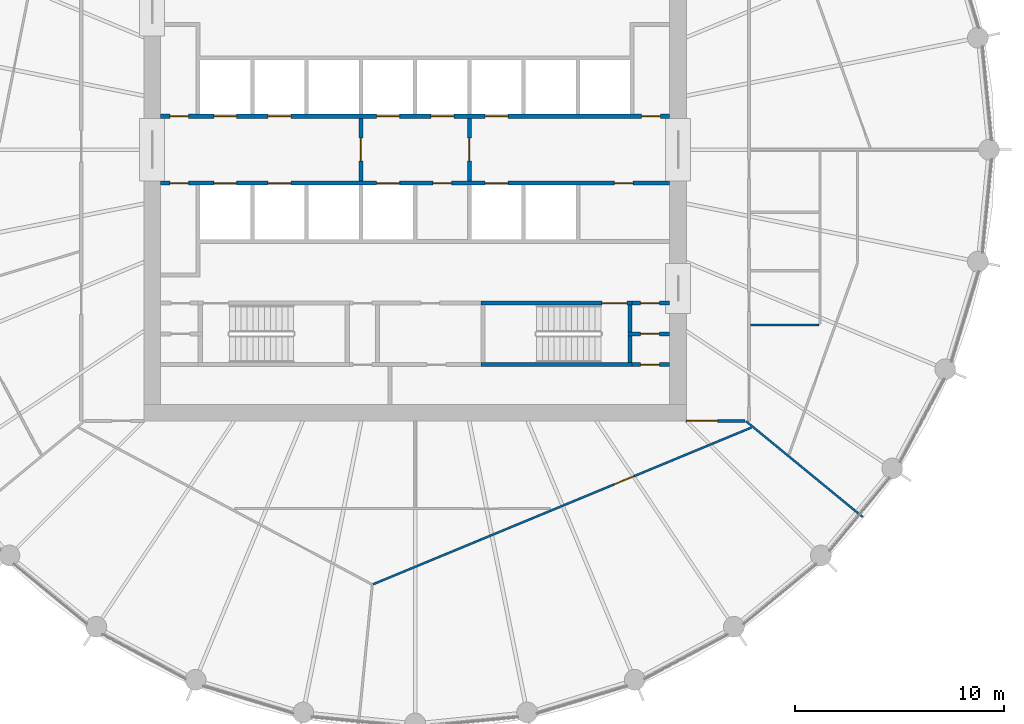
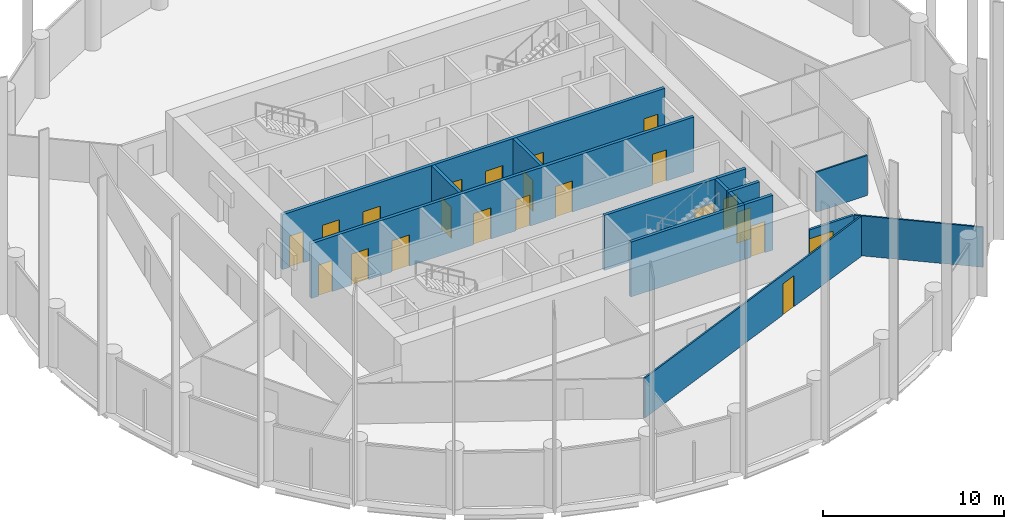
# One storey, part 5 of 8: 22 doors, 15 walls, 22 openings.
"""IFC4 building model written with IfcOpenShell, lengths in metres."""

from ifc_helpers import new_model, si_unit, direction, frame, frame_2d, origin, place, context, subcontext, project, spatial, polyline, rectangle, outline, extrude, material, layer, layer_set, type_object, element, fill, save


model = new_model("IFC4")

# Units and contexts
model_context = context("Model", 3, precision=1e-05, world=origin(), true_north=direction((0.0, 1.0)))
body_context = subcontext(model_context, "Body", "Model", "MODEL_VIEW")
ifc_project = project(units=[si_unit("LENGTHUNIT", "METRE"), si_unit("AREAUNIT", "SQUARE_METRE"), si_unit("VOLUMEUNIT", "CUBIC_METRE"), si_unit("PLANEANGLEUNIT", "RADIAN"), si_unit("MASSUNIT", "GRAM", prefix="KILO")], contexts=[model_context])

# Site, building, storey
site_placement = place(None, origin())
site = spatial("IfcSite", under=ifc_project, at=site_placement, CompositionType="ELEMENT")
building_placement = place(site_placement, origin())
building = spatial("IfcBuilding", under=site, at=building_placement, Name="Corvane Civic Tower", CompositionType="ELEMENT")
storey_placement = place(building_placement, frame((0.0, 0.0, 201.5)))
storey = spatial("IfcBuildingStorey", under=building, at=storey_placement, Name="L47", CompositionType="ELEMENT", Elevation=201.5)

# Wall, opening, door
ifc_material_1 = material(Name="Concrete C30/37", Category="concrete")
ifc_layer_1 = layer(ifc_material_1, 0.199951171875)
ifc_layer_set_1 = layer_set([ifc_layer_1], Name="Concrete C30/37")
wall_type_1 = type_object("IfcWallType", Name="CR-WALL-200", PredefinedType="PARTITIONING", material=ifc_layer_set_1)
wall_1_placement = place(storey_placement, frame((10.39990234375, -10.300048828125, 0.0), z_axis=(0.0, 0.0, 1.0), x_axis=(1.0, 0.0, 0.0)))
wall_1 = element("IfcWall", 1, at=wall_1_placement, inside=storey, type_object=wall_type_1, Name="L47 partition wall", PredefinedType="PARTITIONING", context=body_context, shape_type="SweptSolid", body=[
    extrude(rectangle(XDim=1.800048828125, YDim=0.199951171875, at=frame_2d((0.89990234375, 0.0))), origin(), (0.0, 0.0, 1.0), 3.699951171875),
])
opening_1_placement = place(wall_1_placement, frame((0.39990234375, 0.0, 0.0)))
opening_1 = element("IfcOpeningElement", 2, at=opening_1_placement, cuts=wall_1, Name="Opening L47.C23", PredefinedType="OPENING", context=body_context, shape_type="SweptSolid", body=[
    extrude(rectangle(XDim=0.89990234375, YDim=2.10009765625, at=frame_2d((0.449951171875, 1.050048828125))), frame((0.0, 0.10986328125, 0.0), z_axis=(0.0, -1.0, 0.0), x_axis=(1.0, 0.0, 0.0)), (0.0, 0.0, 1.0), 0.219970703125),
])
ifc_material_2 = material(Name="Steel fire door leaf", Category="steel")
door_type_1 = type_object("IfcDoorType", Name="CR-DOOR-900", OperationType="SINGLE_SWING_LEFT", PredefinedType="DOOR", material=ifc_material_2)
door_1_placement = place(opening_1_placement, origin())
door_1 = element("IfcDoor", 3, at=door_1_placement, inside=storey, type_object=door_type_1, Name="L47 door", OperationType="SINGLE_SWING_LEFT", OverallHeight=2.10009765625, OverallWidth=0.89990234375, PredefinedType="DOOR", context=body_context, shape_type="SweptSolid", body=[
    extrude(rectangle(XDim=0.89990234375, YDim=2.10009765625, at=frame_2d((0.449951171875, 1.050048828125))), frame((0.0, 0.02490234375, 0.0), z_axis=(0.0, -1.0, 0.0), x_axis=(1.0, 0.0, 0.0)), (0.0, 0.0, 1.0), 0.050048828125),
])
fill(opening_1, door_1)

wall_2_placement = place(storey_placement, frame((10.199951171875, -8.824951171875, 0.0), z_axis=(0.0, 0.0, 1.0), x_axis=(1.0, 0.0, 0.0)))
wall_2 = element("IfcWall", 4, at=wall_2_placement, inside=storey, type_object=wall_type_1, Name="L47 partition wall", PredefinedType="PARTITIONING", context=body_context, shape_type="SweptSolid", body=[
    extrude(rectangle(XDim=2.0, YDim=0.199951171875, at=frame_2d((1.0, 0.0))), origin(), (0.0, 0.0, 1.0), 3.699951171875),
])
opening_2_placement = place(wall_2_placement, frame((0.60009765625, 0.0, 0.0)))
opening_2 = element("IfcOpeningElement", 5, at=opening_2_placement, cuts=wall_2, Name="Opening L47.C22", PredefinedType="OPENING", context=body_context, shape_type="SweptSolid", body=[
    extrude(rectangle(XDim=0.89990234375, YDim=2.10009765625, at=frame_2d((0.449951171875, 1.050048828125))), frame((0.0, 0.10986328125, 0.0), z_axis=(0.0, -1.0, 0.0), x_axis=(1.0, 0.0, 0.0)), (0.0, 0.0, 1.0), 0.219970703125),
])
door_2_placement = place(opening_2_placement, origin())
door_2 = element("IfcDoor", 6, at=door_2_placement, inside=storey, type_object=door_type_1, Name="L47 door", OperationType="SINGLE_SWING_LEFT", OverallHeight=2.10009765625, OverallWidth=0.89990234375, PredefinedType="DOOR", context=body_context, shape_type="SweptSolid", body=[
    extrude(rectangle(XDim=0.89990234375, YDim=2.10009765625, at=frame_2d((0.449951171875, 1.050048828125))), frame((0.0, 0.02490234375, 0.0), z_axis=(0.0, -1.0, 0.0), x_axis=(1.0, 0.0, 0.0)), (0.0, 0.0, 1.0), 0.050048828125),
])
fill(opening_2, door_2)

wall_3_placement = place(storey_placement, frame((10.39990234375, -7.35009765625, 0.0), z_axis=(0.0, 0.0, 1.0), x_axis=(1.0, 0.0, 0.0)))
wall_3 = element("IfcWall", 7, at=wall_3_placement, inside=storey, type_object=wall_type_1, Name="L47 core partition wall", PredefinedType="PARTITIONING", context=body_context, shape_type="SweptSolid", body=[
    extrude(rectangle(XDim=1.800048828125, YDim=0.199951171875, at=frame_2d((0.89990234375, 0.0))), origin(), (0.0, 0.0, 1.0), 3.699951171875),
])
opening_3_placement = place(wall_3_placement, frame((0.39990234375, 0.0, 0.0)))
opening_3 = element("IfcOpeningElement", 8, at=opening_3_placement, cuts=wall_3, Name="Opening L47.C21", PredefinedType="OPENING", context=body_context, shape_type="SweptSolid", body=[
    extrude(rectangle(XDim=0.89990234375, YDim=2.10009765625, at=frame_2d((0.449951171875, 1.050048828125))), frame((0.0, 0.10986328125, 0.0), z_axis=(0.0, -1.0, 0.0), x_axis=(1.0, 0.0, 0.0)), (0.0, 0.0, 1.0), 0.219970703125),
])
door_3_placement = place(opening_3_placement, origin())
door_3 = element("IfcDoor", 9, at=door_3_placement, inside=storey, type_object=door_type_1, Name="L47 door", OperationType="SINGLE_SWING_LEFT", OverallHeight=2.10009765625, OverallWidth=0.89990234375, PredefinedType="DOOR", context=body_context, shape_type="SweptSolid", body=[
    extrude(rectangle(XDim=0.89990234375, YDim=2.10009765625, at=frame_2d((0.449951171875, 1.050048828125))), frame((0.0, 0.02490234375, 0.0), z_axis=(0.0, -1.0, 0.0), x_axis=(1.0, 0.0, 0.0)), (0.0, 0.0, 1.0), 0.050048828125),
])
fill(opening_3, door_3)

# Wall, openings, doors
wall_4_placement = place(storey_placement, frame((-12.199951171875, -1.60009765625, 0.0), z_axis=(0.0, 0.0, 1.0), x_axis=(1.0, 0.0, 0.0)))
wall_4 = element("IfcWall", 10, at=wall_4_placement, inside=storey, type_object=wall_type_1, Name="L47 lift shaft wall", PredefinedType="PARTITIONING", context=body_context, shape_type="SweptSolid", body=[
    extrude(rectangle(XDim=24.39990234375, YDim=0.199951171875, at=frame_2d((12.199951171875, 0.0))), origin(), (0.0, 0.0, 1.0), 3.699951171875),
])
opening_4_placement = place(wall_4_placement, frame((2.550048828125, 0.0, 0.0)))
opening_4 = element("IfcOpeningElement", 11, at=opening_4_placement, cuts=wall_4, Name="Opening LD", PredefinedType="OPENING", context=body_context, shape_type="SweptSolid", body=[
    extrude(rectangle(XDim=1.10009765625, YDim=2.10009765625, at=frame_2d((0.550048828125, 1.050048828125))), frame((0.0, 0.10986328125, 0.0), z_axis=(0.0, -1.0, 0.0), x_axis=(1.0, 0.0, 0.0)), (0.0, 0.0, 1.0), 0.219970703125),
])
opening_5_placement = place(wall_4_placement, frame((5.14990234375, 0.0, 0.0)))
opening_5 = element("IfcOpeningElement", 12, at=opening_5_placement, cuts=wall_4, Name="Opening LD", PredefinedType="OPENING", context=body_context, shape_type="SweptSolid", body=[
    extrude(rectangle(XDim=1.10009765625, YDim=2.10009765625, at=frame_2d((0.550048828125, 1.050048828125))), frame((0.0, 0.10986328125, 0.0), z_axis=(0.0, -1.0, 0.0), x_axis=(1.0, 0.0, 0.0)), (0.0, 0.0, 1.0), 0.219970703125),
])
opening_6_placement = place(wall_4_placement, frame((10.35009765625, 0.0, 0.0)))
opening_6 = element("IfcOpeningElement", 13, at=opening_6_placement, cuts=wall_4, Name="Opening LD", PredefinedType="OPENING", context=body_context, shape_type="SweptSolid", body=[
    extrude(rectangle(XDim=1.10009765625, YDim=2.10009765625, at=frame_2d((0.550048828125, 1.050048828125))), frame((0.0, 0.10986328125, 0.0), z_axis=(0.0, -1.0, 0.0), x_axis=(1.0, 0.0, 0.0)), (0.0, 0.0, 1.0), 0.219970703125),
])
opening_7_placement = place(wall_4_placement, frame((13.050048828125, 0.0, 0.0)))
opening_7 = element("IfcOpeningElement", 14, at=opening_7_placement, cuts=wall_4, Name="Opening L47.C03", PredefinedType="OPENING", context=body_context, shape_type="SweptSolid", body=[
    extrude(rectangle(XDim=0.89990234375, YDim=2.10009765625, at=frame_2d((0.449951171875, 1.050048828125))), frame((0.0, 0.10986328125, 0.0), z_axis=(0.0, -1.0, 0.0), x_axis=(1.0, 0.0, 0.0)), (0.0, 0.0, 1.0), 0.219970703125),
])
opening_8_placement = place(wall_4_placement, frame((15.550048828125, 0.0, 0.0)))
opening_8 = element("IfcOpeningElement", 15, at=opening_8_placement, cuts=wall_4, Name="Opening LD", PredefinedType="OPENING", context=body_context, shape_type="SweptSolid", body=[
    extrude(rectangle(XDim=1.10009765625, YDim=2.10009765625, at=frame_2d((0.550048828125, 1.050048828125))), frame((0.0, 0.10986328125, 0.0), z_axis=(0.0, -1.0, 0.0), x_axis=(1.0, 0.0, 0.0)), (0.0, 0.0, 1.0), 0.219970703125),
])
opening_9_placement = place(wall_4_placement, frame((0.449951171875, 0.0, 0.0)))
opening_9 = element("IfcOpeningElement", 16, at=opening_9_placement, cuts=wall_4, Name="Opening L47.C04", PredefinedType="OPENING", context=body_context, shape_type="SweptSolid", body=[
    extrude(rectangle(XDim=0.89990234375, YDim=2.10009765625, at=frame_2d((0.449951171875, 1.050048828125))), frame((0.0, 0.10986328125, 0.0), z_axis=(0.0, -1.0, 0.0), x_axis=(1.0, 0.0, 0.0)), (0.0, 0.0, 1.0), 0.219970703125),
])
opening_10_placement = place(wall_4_placement, frame((21.75, 0.0, 0.0)))
opening_10 = element("IfcOpeningElement", 17, at=opening_10_placement, cuts=wall_4, Name="Opening L47.C05", PredefinedType="OPENING", context=body_context, shape_type="SweptSolid", body=[
    extrude(rectangle(XDim=0.89990234375, YDim=2.10009765625, at=frame_2d((0.449951171875, 1.050048828125))), frame((0.0, 0.10986328125, 0.0), z_axis=(0.0, -1.0, 0.0), x_axis=(1.0, 0.0, 0.0)), (0.0, 0.0, 1.0), 0.219970703125),
])
door_4_placement = place(opening_7_placement, origin())
door_4 = element("IfcDoor", 18, at=door_4_placement, inside=storey, type_object=door_type_1, Name="L47 door", OperationType="SINGLE_SWING_LEFT", OverallHeight=2.10009765625, OverallWidth=0.89990234375, PredefinedType="DOOR", context=body_context, shape_type="SweptSolid", body=[
    extrude(rectangle(XDim=0.89990234375, YDim=2.10009765625, at=frame_2d((0.449951171875, 1.050048828125))), frame((0.0, 0.02490234375, 0.0), z_axis=(0.0, -1.0, 0.0), x_axis=(1.0, 0.0, 0.0)), (0.0, 0.0, 1.0), 0.050048828125),
])
fill(opening_7, door_4)
door_5_placement = place(opening_9_placement, origin())
door_5 = element("IfcDoor", 19, at=door_5_placement, inside=storey, type_object=door_type_1, Name="L47 door", OperationType="SINGLE_SWING_LEFT", OverallHeight=2.10009765625, OverallWidth=0.89990234375, PredefinedType="DOOR", context=body_context, shape_type="SweptSolid", body=[
    extrude(rectangle(XDim=0.89990234375, YDim=2.10009765625, at=frame_2d((0.449951171875, 1.050048828125))), frame((0.0, 0.02490234375, 0.0), z_axis=(0.0, -1.0, 0.0), x_axis=(1.0, 0.0, 0.0)), (0.0, 0.0, 1.0), 0.050048828125),
])
fill(opening_9, door_5)
door_6_placement = place(opening_10_placement, origin())
door_6 = element("IfcDoor", 20, at=door_6_placement, inside=storey, type_object=door_type_1, Name="L47 door", OperationType="SINGLE_SWING_LEFT", OverallHeight=2.10009765625, OverallWidth=0.89990234375, PredefinedType="DOOR", context=body_context, shape_type="SweptSolid", body=[
    extrude(rectangle(XDim=0.89990234375, YDim=2.10009765625, at=frame_2d((0.449951171875, 1.050048828125))), frame((0.0, 0.02490234375, 0.0), z_axis=(0.0, -1.0, 0.0), x_axis=(1.0, 0.0, 0.0)), (0.0, 0.0, 1.0), 0.050048828125),
])
fill(opening_10, door_6)
ifc_material_3 = material(Name="Stainless steel 316 door leaves", Category="steel")
door_type_2 = type_object("IfcDoorType", Name="LD", OperationType="DOUBLE_DOOR_SLIDING", PredefinedType="DOOR", material=ifc_material_3)
door_7_placement = place(opening_4_placement, origin())
door_7 = element("IfcDoor", 21, at=door_7_placement, inside=storey, type_object=door_type_2, Name="L47 landing door", OperationType="DOUBLE_DOOR_SLIDING", OverallHeight=2.10009765625, OverallWidth=1.10009765625, PredefinedType="DOOR", context=body_context, shape_type="SweptSolid", body=[
    extrude(rectangle(XDim=1.10009765625, YDim=2.10009765625, at=frame_2d((0.550048828125, 1.050048828125))), frame((0.0, 0.02490234375, 0.0), z_axis=(0.0, -1.0, 0.0), x_axis=(1.0, 0.0, 0.0)), (0.0, 0.0, 1.0), 0.050048828125),
])
fill(opening_4, door_7)
door_8_placement = place(opening_5_placement, origin())
door_8 = element("IfcDoor", 22, at=door_8_placement, inside=storey, type_object=door_type_2, Name="L47 landing door", OperationType="DOUBLE_DOOR_SLIDING", OverallHeight=2.10009765625, OverallWidth=1.10009765625, PredefinedType="DOOR", context=body_context, shape_type="SweptSolid", body=[
    extrude(rectangle(XDim=1.10009765625, YDim=2.10009765625, at=frame_2d((0.550048828125, 1.050048828125))), frame((0.0, 0.02490234375, 0.0), z_axis=(0.0, -1.0, 0.0), x_axis=(1.0, 0.0, 0.0)), (0.0, 0.0, 1.0), 0.050048828125),
])
fill(opening_5, door_8)
door_9_placement = place(opening_6_placement, origin())
door_9 = element("IfcDoor", 23, at=door_9_placement, inside=storey, type_object=door_type_2, Name="L47 landing door", OperationType="DOUBLE_DOOR_SLIDING", OverallHeight=2.10009765625, OverallWidth=1.10009765625, PredefinedType="DOOR", context=body_context, shape_type="SweptSolid", body=[
    extrude(rectangle(XDim=1.10009765625, YDim=2.10009765625, at=frame_2d((0.550048828125, 1.050048828125))), frame((0.0, 0.02490234375, 0.0), z_axis=(0.0, -1.0, 0.0), x_axis=(1.0, 0.0, 0.0)), (0.0, 0.0, 1.0), 0.050048828125),
])
fill(opening_6, door_9)
door_10_placement = place(opening_8_placement, origin())
door_10 = element("IfcDoor", 24, at=door_10_placement, inside=storey, type_object=door_type_2, Name="L47 landing door", OperationType="DOUBLE_DOOR_SLIDING", OverallHeight=2.10009765625, OverallWidth=1.10009765625, PredefinedType="DOOR", context=body_context, shape_type="SweptSolid", body=[
    extrude(rectangle(XDim=1.10009765625, YDim=2.10009765625, at=frame_2d((0.550048828125, 1.050048828125))), frame((0.0, 0.02490234375, 0.0), z_axis=(0.0, -1.0, 0.0), x_axis=(1.0, 0.0, 0.0)), (0.0, 0.0, 1.0), 0.050048828125),
])
fill(opening_8, door_10)

wall_5_placement = place(storey_placement, frame((-12.199951171875, 1.60009765625, 0.0), z_axis=(0.0, 0.0, 1.0), x_axis=(1.0, 0.0, 0.0)))
wall_5 = element("IfcWall", 25, at=wall_5_placement, inside=storey, type_object=wall_type_1, Name="L47 lift shaft wall", PredefinedType="PARTITIONING", context=body_context, shape_type="SweptSolid", body=[
    extrude(rectangle(XDim=24.39990234375, YDim=0.199951171875, at=frame_2d((12.199951171875, 0.0))), origin(), (0.0, 0.0, 1.0), 3.699951171875),
])
opening_11_placement = place(wall_5_placement, frame((2.550048828125, 0.0, 0.0)))
opening_11 = element("IfcOpeningElement", 26, at=opening_11_placement, cuts=wall_5, Name="Opening LD", PredefinedType="OPENING", context=body_context, shape_type="SweptSolid", body=[
    extrude(rectangle(XDim=1.10009765625, YDim=2.10009765625, at=frame_2d((0.550048828125, 1.050048828125))), frame((0.0, 0.10986328125, 0.0), z_axis=(0.0, -1.0, 0.0), x_axis=(1.0, 0.0, 0.0)), (0.0, 0.0, 1.0), 0.219970703125),
])
opening_12_placement = place(wall_5_placement, frame((5.14990234375, 0.0, 0.0)))
opening_12 = element("IfcOpeningElement", 27, at=opening_12_placement, cuts=wall_5, Name="Opening LD", PredefinedType="OPENING", context=body_context, shape_type="SweptSolid", body=[
    extrude(rectangle(XDim=1.10009765625, YDim=2.10009765625, at=frame_2d((0.550048828125, 1.050048828125))), frame((0.0, 0.10986328125, 0.0), z_axis=(0.0, -1.0, 0.0), x_axis=(1.0, 0.0, 0.0)), (0.0, 0.0, 1.0), 0.219970703125),
])
opening_13_placement = place(wall_5_placement, frame((10.35009765625, 0.0, 0.0)))
opening_13 = element("IfcOpeningElement", 28, at=opening_13_placement, cuts=wall_5, Name="Opening LD", PredefinedType="OPENING", context=body_context, shape_type="SweptSolid", body=[
    extrude(rectangle(XDim=1.10009765625, YDim=2.10009765625, at=frame_2d((0.550048828125, 1.050048828125))), frame((0.0, 0.10986328125, 0.0), z_axis=(0.0, -1.0, 0.0), x_axis=(1.0, 0.0, 0.0)), (0.0, 0.0, 1.0), 0.219970703125),
])
opening_14_placement = place(wall_5_placement, frame((12.949951171875, 0.0, 0.0)))
opening_14 = element("IfcOpeningElement", 29, at=opening_14_placement, cuts=wall_5, Name="Opening LD", PredefinedType="OPENING", context=body_context, shape_type="SweptSolid", body=[
    extrude(rectangle(XDim=1.10009765625, YDim=2.10009765625, at=frame_2d((0.550048828125, 1.050048828125))), frame((0.0, 0.10986328125, 0.0), z_axis=(0.0, -1.0, 0.0), x_axis=(1.0, 0.0, 0.0)), (0.0, 0.0, 1.0), 0.219970703125),
])
opening_15_placement = place(wall_5_placement, frame((15.550048828125, 0.0, 0.0)))
opening_15 = element("IfcOpeningElement", 30, at=opening_15_placement, cuts=wall_5, Name="Opening LD", PredefinedType="OPENING", context=body_context, shape_type="SweptSolid", body=[
    extrude(rectangle(XDim=1.10009765625, YDim=2.10009765625, at=frame_2d((0.550048828125, 1.050048828125))), frame((0.0, 0.10986328125, 0.0), z_axis=(0.0, -1.0, 0.0), x_axis=(1.0, 0.0, 0.0)), (0.0, 0.0, 1.0), 0.219970703125),
])
opening_16_placement = place(wall_5_placement, frame((0.449951171875, 0.0, 0.0)))
opening_16 = element("IfcOpeningElement", 31, at=opening_16_placement, cuts=wall_5, Name="Opening L47.C01", PredefinedType="OPENING", context=body_context, shape_type="SweptSolid", body=[
    extrude(rectangle(XDim=0.89990234375, YDim=2.10009765625, at=frame_2d((0.449951171875, 1.050048828125))), frame((0.0, 0.10986328125, 0.0), z_axis=(0.0, -1.0, 0.0), x_axis=(1.0, 0.0, 0.0)), (0.0, 0.0, 1.0), 0.219970703125),
])
opening_17_placement = place(wall_5_placement, frame((23.050048828125, 0.0, 0.0)))
opening_17 = element("IfcOpeningElement", 32, at=opening_17_placement, cuts=wall_5, Name="Opening L47.C02", PredefinedType="OPENING", context=body_context, shape_type="SweptSolid", body=[
    extrude(rectangle(XDim=0.89990234375, YDim=2.10009765625, at=frame_2d((0.449951171875, 1.050048828125))), frame((0.0, 0.10986328125, 0.0), z_axis=(0.0, -1.0, 0.0), x_axis=(1.0, 0.0, 0.0)), (0.0, 0.0, 1.0), 0.219970703125),
])
door_11_placement = place(opening_16_placement, origin())
door_11 = element("IfcDoor", 33, at=door_11_placement, inside=storey, type_object=door_type_1, Name="L47 door", OperationType="SINGLE_SWING_LEFT", OverallHeight=2.10009765625, OverallWidth=0.89990234375, PredefinedType="DOOR", context=body_context, shape_type="SweptSolid", body=[
    extrude(rectangle(XDim=0.89990234375, YDim=2.10009765625, at=frame_2d((0.449951171875, 1.050048828125))), frame((0.0, 0.02490234375, 0.0), z_axis=(0.0, -1.0, 0.0), x_axis=(1.0, 0.0, 0.0)), (0.0, 0.0, 1.0), 0.050048828125),
])
fill(opening_16, door_11)
door_12_placement = place(opening_17_placement, origin())
door_12 = element("IfcDoor", 34, at=door_12_placement, inside=storey, type_object=door_type_1, Name="L47 door", OperationType="SINGLE_SWING_LEFT", OverallHeight=2.10009765625, OverallWidth=0.89990234375, PredefinedType="DOOR", context=body_context, shape_type="SweptSolid", body=[
    extrude(rectangle(XDim=0.89990234375, YDim=2.10009765625, at=frame_2d((0.449951171875, 1.050048828125))), frame((0.0, 0.02490234375, 0.0), z_axis=(0.0, -1.0, 0.0), x_axis=(1.0, 0.0, 0.0)), (0.0, 0.0, 1.0), 0.050048828125),
])
fill(opening_17, door_12)
door_13_placement = place(opening_11_placement, origin())
door_13 = element("IfcDoor", 35, at=door_13_placement, inside=storey, type_object=door_type_2, Name="L47 landing door", OperationType="DOUBLE_DOOR_SLIDING", OverallHeight=2.10009765625, OverallWidth=1.10009765625, PredefinedType="DOOR", context=body_context, shape_type="SweptSolid", body=[
    extrude(rectangle(XDim=1.10009765625, YDim=2.10009765625, at=frame_2d((0.550048828125, 1.050048828125))), frame((0.0, 0.02490234375, 0.0), z_axis=(0.0, -1.0, 0.0), x_axis=(1.0, 0.0, 0.0)), (0.0, 0.0, 1.0), 0.050048828125),
])
fill(opening_11, door_13)
door_14_placement = place(opening_12_placement, origin())
door_14 = element("IfcDoor", 36, at=door_14_placement, inside=storey, type_object=door_type_2, Name="L47 landing door", OperationType="DOUBLE_DOOR_SLIDING", OverallHeight=2.10009765625, OverallWidth=1.10009765625, PredefinedType="DOOR", context=body_context, shape_type="SweptSolid", body=[
    extrude(rectangle(XDim=1.10009765625, YDim=2.10009765625, at=frame_2d((0.550048828125, 1.050048828125))), frame((0.0, 0.02490234375, 0.0), z_axis=(0.0, -1.0, 0.0), x_axis=(1.0, 0.0, 0.0)), (0.0, 0.0, 1.0), 0.050048828125),
])
fill(opening_12, door_14)
door_15_placement = place(opening_13_placement, origin())
door_15 = element("IfcDoor", 37, at=door_15_placement, inside=storey, type_object=door_type_2, Name="L47 landing door", OperationType="DOUBLE_DOOR_SLIDING", OverallHeight=2.10009765625, OverallWidth=1.10009765625, PredefinedType="DOOR", context=body_context, shape_type="SweptSolid", body=[
    extrude(rectangle(XDim=1.10009765625, YDim=2.10009765625, at=frame_2d((0.550048828125, 1.050048828125))), frame((0.0, 0.02490234375, 0.0), z_axis=(0.0, -1.0, 0.0), x_axis=(1.0, 0.0, 0.0)), (0.0, 0.0, 1.0), 0.050048828125),
])
fill(opening_13, door_15)
door_16_placement = place(opening_14_placement, origin())
door_16 = element("IfcDoor", 38, at=door_16_placement, inside=storey, type_object=door_type_2, Name="L47 landing door", OperationType="DOUBLE_DOOR_SLIDING", OverallHeight=2.10009765625, OverallWidth=1.10009765625, PredefinedType="DOOR", context=body_context, shape_type="SweptSolid", body=[
    extrude(rectangle(XDim=1.10009765625, YDim=2.10009765625, at=frame_2d((0.550048828125, 1.050048828125))), frame((0.0, 0.02490234375, 0.0), z_axis=(0.0, -1.0, 0.0), x_axis=(1.0, 0.0, 0.0)), (0.0, 0.0, 1.0), 0.050048828125),
])
fill(opening_14, door_16)
door_17_placement = place(opening_15_placement, origin())
door_17 = element("IfcDoor", 39, at=door_17_placement, inside=storey, type_object=door_type_2, Name="L47 landing door", OperationType="DOUBLE_DOOR_SLIDING", OverallHeight=2.10009765625, OverallWidth=1.10009765625, PredefinedType="DOOR", context=body_context, shape_type="SweptSolid", body=[
    extrude(rectangle(XDim=1.10009765625, YDim=2.10009765625, at=frame_2d((0.550048828125, 1.050048828125))), frame((0.0, 0.02490234375, 0.0), z_axis=(0.0, -1.0, 0.0), x_axis=(1.0, 0.0, 0.0)), (0.0, 0.0, 1.0), 0.050048828125),
])
fill(opening_15, door_17)

# Wall, opening, door
wall_6_placement = place(storey_placement, frame((-2.60009765625, -1.5, 0.0), z_axis=(0.0, 0.0, 1.0), x_axis=(0.0, 1.0, 0.0)))
wall_6 = element("IfcWall", 40, at=wall_6_placement, inside=storey, type_object=wall_type_1, Name="L47 firefighting lobby wall", PredefinedType="PARTITIONING", context=body_context, shape_type="SweptSolid", body=[
    extrude(rectangle(XDim=3.0, YDim=0.199951171875, at=frame_2d((1.5, 0.0))), origin(), (0.0, 0.0, 1.0), 3.699951171875),
])
opening_18_placement = place(wall_6_placement, frame((0.949951171875, 0.0, 0.0)))
opening_18 = element("IfcOpeningElement", 41, at=opening_18_placement, cuts=wall_6, Name="Opening L47.C28", PredefinedType="OPENING", context=body_context, shape_type="SweptSolid", body=[
    extrude(rectangle(XDim=1.10009765625, YDim=2.10009765625, at=frame_2d((0.550048828125, 1.050048828125))), frame((0.0, 0.10986328125, 0.0), z_axis=(0.0, -1.0, 0.0), x_axis=(1.0, 0.0, 0.0)), (0.0, 0.0, 1.0), 0.219970703125),
])
ifc_material_4 = material(Name="Steel fire door leaf", Category="steel")
door_type_3 = type_object("IfcDoorType", Name="CR-DOOR-FFL-1100", OperationType="SINGLE_SWING_LEFT", PredefinedType="DOOR", material=ifc_material_4)
door_18_placement = place(opening_18_placement, origin())
door_18 = element("IfcDoor", 42, at=door_18_placement, inside=storey, type_object=door_type_3, Name="L47 lobby door", OperationType="SINGLE_SWING_LEFT", OverallHeight=2.10009765625, OverallWidth=1.10009765625, PredefinedType="DOOR", context=body_context, shape_type="SweptSolid", body=[
    extrude(rectangle(XDim=1.10009765625, YDim=2.10009765625, at=frame_2d((0.550048828125, 1.050048828125))), frame((0.0, 0.02490234375, 0.0), z_axis=(0.0, -1.0, 0.0), x_axis=(1.0, 0.0, 0.0)), (0.0, 0.0, 1.0), 0.050048828125),
])
fill(opening_18, door_18)

wall_7_placement = place(storey_placement, frame((2.60009765625, -1.5, 0.0), z_axis=(0.0, 0.0, 1.0), x_axis=(0.0, 1.0, 0.0)))
wall_7 = element("IfcWall", 43, at=wall_7_placement, inside=storey, type_object=wall_type_1, Name="L47 firefighting lobby wall", PredefinedType="PARTITIONING", context=body_context, shape_type="SweptSolid", body=[
    extrude(rectangle(XDim=3.0, YDim=0.199951171875, at=frame_2d((1.5, 0.0))), origin(), (0.0, 0.0, 1.0), 3.699951171875),
])
opening_19_placement = place(wall_7_placement, frame((0.949951171875, 0.0, 0.0)))
opening_19 = element("IfcOpeningElement", 44, at=opening_19_placement, cuts=wall_7, Name="Opening L47.C29", PredefinedType="OPENING", context=body_context, shape_type="SweptSolid", body=[
    extrude(rectangle(XDim=1.10009765625, YDim=2.10009765625, at=frame_2d((0.550048828125, 1.050048828125))), frame((0.0, 0.10986328125, 0.0), z_axis=(0.0, -1.0, 0.0), x_axis=(1.0, 0.0, 0.0)), (0.0, 0.0, 1.0), 0.219970703125),
])
door_19_placement = place(opening_19_placement, origin())
door_19 = element("IfcDoor", 45, at=door_19_placement, inside=storey, type_object=door_type_3, Name="L47 lobby door", OperationType="SINGLE_SWING_LEFT", OverallHeight=2.10009765625, OverallWidth=1.10009765625, PredefinedType="DOOR", context=body_context, shape_type="SweptSolid", body=[
    extrude(rectangle(XDim=1.10009765625, YDim=2.10009765625, at=frame_2d((0.550048828125, 1.050048828125))), frame((0.0, 0.02490234375, 0.0), z_axis=(0.0, -1.0, 0.0), x_axis=(1.0, 0.0, 0.0)), (0.0, 0.0, 1.0), 0.050048828125),
])
fill(opening_19, door_19)

ifc_material_5 = material(Name="Plasterboard")
ifc_layer_2 = layer(ifc_material_5, 0.10009765625)
ifc_layer_set_2 = layer_set([ifc_layer_2], Name="Plasterboard")
wall_type_2 = type_object("IfcWallType", Name="Partition 100 plasterboard on studs", PredefinedType="PARTITIONING", material=ifc_layer_set_2)
wall_8_placement = place(storey_placement, frame((-2.02490234375, -20.82958984375, 0.0), z_axis=(0.0, 0.0, 1.0), x_axis=(0.923880713977, 0.382680580043, 0.0)))
wall_8 = element("IfcWall", 46, at=wall_8_placement, inside=storey, type_object=wall_type_2, Name="Partition L47.003", PredefinedType="PARTITIONING", context=body_context, shape_type="SweptSolid", body=[
    extrude(rectangle(XDim=19.63037109375, YDim=0.10009765625, at=frame_2d((9.815185546875, 0.0))), origin(), (0.0, 0.0, 1.0), 2.699951171875),
])
opening_20_placement = place(wall_8_placement, frame((12.520263671875, 0.0, 0.0)))
opening_20 = element("IfcOpeningElement", 47, at=opening_20_placement, cuts=wall_8, Name="Opening L47.002", PredefinedType="OPENING", context=body_context, shape_type="SweptSolid", body=[
    extrude(rectangle(XDim=1.0, YDim=2.10009765625, at=frame_2d((0.5, 1.050048828125))), frame((0.0, 0.06005859375, 0.0), z_axis=(0.0, -1.0, 0.0), x_axis=(1.0, 0.0, 0.0)), (0.0, 0.0, 1.0), 0.1201171875),
])
ifc_material_6 = material(Name="Timber", Category="wood")
door_type_4 = type_object("IfcDoorType", Name="Single door 1000", OperationType="NOTDEFINED", PredefinedType="DOOR", material=ifc_material_6)
door_20_placement = place(opening_20_placement, frame((1.0, 0.0, 0.0), z_axis=(0.0, 0.0, 1.0), x_axis=(-1.0, 0.0, 0.0)))
door_20 = element("IfcDoor", 48, at=door_20_placement, inside=storey, type_object=door_type_4, Name="Door L47.002", OperationType="SINGLE_SWING_LEFT", OverallHeight=2.10009765625, OverallWidth=1.0, PredefinedType="DOOR", context=body_context, shape_type="SweptSolid", body=[
    extrude(rectangle(XDim=1.0, YDim=2.10009765625, at=frame_2d((0.5, 1.050048828125))), frame((0.0, 0.02490234375, 0.0), z_axis=(0.0, -1.0, 0.0), x_axis=(1.0, 0.0, 0.0)), (0.0, 0.0, 1.0), 0.050048828125),
])
fill(opening_20, door_20)

# Walls
wall_9_placement = place(storey_placement, frame((15.8544921875, -13.01123046875, 0.0), z_axis=(0.0, 0.0, 1.0), x_axis=(0.772997895748, -0.634408585352, 0.0)))
element("IfcWall", 49, at=wall_9_placement, inside=storey, type_object=wall_type_2, Name="Partition L47.005", PredefinedType="PARTITIONING", context=body_context, shape_type="SweptSolid", body=[
    extrude(rectangle(XDim=7.240234375, YDim=0.10009765625, at=frame_2d((3.6201171875, 0.0))), origin(), (0.0, 0.0, 1.0), 2.699951171875),
])
wall_10_placement = place(storey_placement, frame((16.074951171875, -8.39990234375, 0.0), z_axis=(0.0, 0.0, 1.0), x_axis=(1.0, 0.0, 0.0)))
element("IfcWall", 50, at=wall_10_placement, inside=storey, type_object=wall_type_2, Name="Partition L47.014", PredefinedType="PARTITIONING", context=body_context, shape_type="SweptSolid", body=[
    extrude(rectangle(XDim=3.275146484375, YDim=0.10009765625, at=frame_2d((1.6376953125, 0.0))), origin(), (0.0, 0.0, 1.0), 2.699951171875),
])

# Wall, opening, door
ifc_material_7 = material(Name="Concrete C50/60", Category="concrete")
ifc_layer_3 = layer(ifc_material_7, 0.199951171875)
ifc_layer_set_3 = layer_set([ifc_layer_3], Name="Concrete C50/60")
wall_type_3 = type_object("IfcWallType", Name="ST-WALL-200", PredefinedType="SHEAR", material=ifc_layer_set_3)
wall_11_placement = place(storey_placement, frame((3.14990234375, -7.35009765625, 0.0), z_axis=(0.0, 0.0, 1.0), x_axis=(1.0, 0.0, 0.0)))
wall_11 = element("IfcWall", 51, at=wall_11_placement, inside=storey, type_object=wall_type_3, Name="L47 stair enclosure wall", PredefinedType="SHEAR", context=body_context, shape_type="SweptSolid", body=[
    extrude(rectangle(XDim=7.25, YDim=0.199951171875, at=frame_2d((3.625, 0.0))), origin(), (0.0, 0.0, 1.0), 3.699951171875),
])
opening_21_placement = place(wall_11_placement, frame((5.800048828125, 0.0, 0.0)))
opening_21 = element("IfcOpeningElement", 52, at=opening_21_placement, cuts=wall_11, Name="Opening L47.C26", PredefinedType="OPENING", context=body_context, shape_type="SweptSolid", body=[
    extrude(rectangle(XDim=1.199951171875, YDim=2.10009765625, at=frame_2d((0.60009765625, 1.050048828125))), frame((0.0, 0.10986328125, 0.0), z_axis=(0.0, -1.0, 0.0), x_axis=(1.0, 0.0, 0.0)), (0.0, 0.0, 1.0), 0.219970703125),
])
ifc_material_8 = material(Name="Steel fire door leaf", Category="steel")
door_type_5 = type_object("IfcDoorType", Name="ST-DOOR-1200", OperationType="SINGLE_SWING_RIGHT", PredefinedType="DOOR", material=ifc_material_8)
door_21_placement = place(opening_21_placement, origin())
door_21 = element("IfcDoor", 53, at=door_21_placement, inside=storey, type_object=door_type_5, Name="L47 stair door", OperationType="SINGLE_SWING_RIGHT", OverallHeight=2.10009765625, OverallWidth=1.199951171875, PredefinedType="DOOR", context=body_context, shape_type="SweptSolid", body=[
    extrude(rectangle(XDim=1.199951171875, YDim=2.10009765625, at=frame_2d((0.60009765625, 1.050048828125))), frame((0.0, 0.02490234375, 0.0), z_axis=(0.0, -1.0, 0.0), x_axis=(1.0, 0.0, 0.0)), (0.0, 0.0, 1.0), 0.050048828125),
])
fill(opening_21, door_21)

# Walls
wall_12_placement = place(storey_placement, origin())
element("IfcWall", 54, at=wall_12_placement, inside=storey, type_object=wall_type_3, Name="L47 stair enclosure wall", PredefinedType="SHEAR", context=body_context, shape_type="SweptSolid", body=[
    extrude(outline(polyline([(10.39990234375, -10.39990234375), (3.14990234375, -10.39990234375), (3.14990234375, -10.199951171875), (10.39990234375, -10.199951171875), (10.39990234375, -10.39990234375)])), origin(), (0.0, 0.0, 1.0), 3.699951171875),
])
wall_13_placement = place(storey_placement, origin())
element("IfcWall", 55, at=wall_13_placement, inside=storey, type_object=wall_type_3, Name="L47 stair enclosure wall", PredefinedType="SHEAR", context=body_context, shape_type="SweptSolid", body=[
    extrude(outline(polyline([(10.39990234375, -7.449951171875), (10.39990234375, -8.72509765625), (10.199951171875, -8.72509765625), (10.199951171875, -7.449951171875), (10.39990234375, -7.449951171875)])), origin(), (0.0, 0.0, 1.0), 3.699951171875),
])
wall_14_placement = place(storey_placement, origin())
element("IfcWall", 56, at=wall_14_placement, inside=storey, type_object=wall_type_3, Name="L47 stair enclosure wall", PredefinedType="SHEAR", context=body_context, shape_type="SweptSolid", body=[
    extrude(outline(polyline([(10.39990234375, -8.925048828125), (10.39990234375, -10.199951171875), (10.199951171875, -10.199951171875), (10.199951171875, -8.925048828125), (10.39990234375, -8.925048828125)])), origin(), (0.0, 0.0, 1.0), 3.699951171875),
])

# Wall, opening, door
ifc_material_9 = material(Name="Plasterboard")
ifc_layer_4 = layer(ifc_material_9, 0.14990234375)
ifc_layer_set_4 = layer_set([ifc_layer_4], Name="Plasterboard")
wall_type_4 = type_object("IfcWallType", Name="Tenancy wall 150 EI 60", PredefinedType="PARTITIONING", material=ifc_layer_set_4)
wall_15_placement = place(storey_placement, frame((12.989990234375, -13.0, 0.0), z_axis=(0.0, 0.0, 1.0), x_axis=(1.0, 0.0, 0.0)))
wall_15 = element("IfcWall", 57, at=wall_15_placement, inside=storey, type_object=wall_type_4, Name="Partition L47.012", PredefinedType="PARTITIONING", context=body_context, shape_type="SweptSolid", body=[
    extrude(rectangle(XDim=2.82373046875, YDim=0.14990234375, at=frame_2d((1.411865234375, 0.0))), origin(), (0.0, 0.0, 1.0), 2.699951171875),
])
opening_22_placement = place(wall_15_placement, frame((0.010009765625, 0.0, 0.0)))
opening_22 = element("IfcOpeningElement", 58, at=opening_22_placement, cuts=wall_15, Name="Opening L47.005", PredefinedType="OPENING", context=body_context, shape_type="SweptSolid", body=[
    extrude(rectangle(XDim=1.5, YDim=2.10009765625, at=frame_2d((0.75, 1.050048828125))), frame((0.0, 0.0849609375, 0.0), z_axis=(0.0, -1.0, 0.0), x_axis=(1.0, 0.0, 0.0)), (0.0, 0.0, 1.0), 0.169921875),
])
ifc_material_10 = material(Name="Steel and timber", Category="steel")
door_type_6 = type_object("IfcDoorType", Name="Fire door FD60 double 1500", OperationType="NOTDEFINED", PredefinedType="DOOR", material=ifc_material_10)
door_22_placement = place(opening_22_placement, frame((1.5, 0.0, 0.0), z_axis=(0.0, 0.0, 1.0), x_axis=(-1.0, 0.0, 0.0)))
door_22 = element("IfcDoor", 59, at=door_22_placement, inside=storey, type_object=door_type_6, Name="Door L47.005", OperationType="DOUBLE_DOOR_SINGLE_SWING", OverallHeight=2.10009765625, OverallWidth=1.5, PredefinedType="DOOR", context=body_context, shape_type="SweptSolid", body=[
    extrude(rectangle(XDim=1.5, YDim=2.10009765625, at=frame_2d((0.75, 1.050048828125))), frame((0.0, 0.02490234375, 0.0), z_axis=(0.0, -1.0, 0.0), x_axis=(1.0, 0.0, 0.0)), (0.0, 0.0, 1.0), 0.050048828125),
])
fill(opening_22, door_22)

save(model, "model.ifc")
